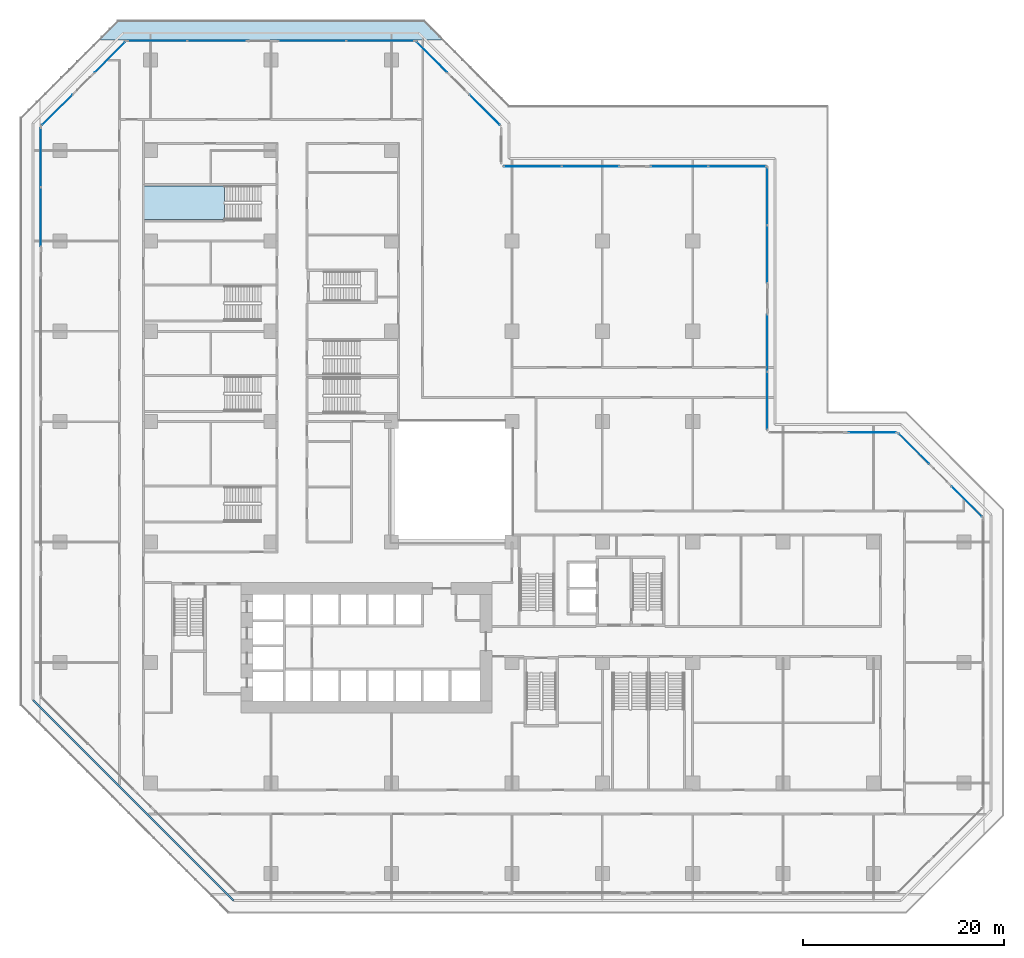
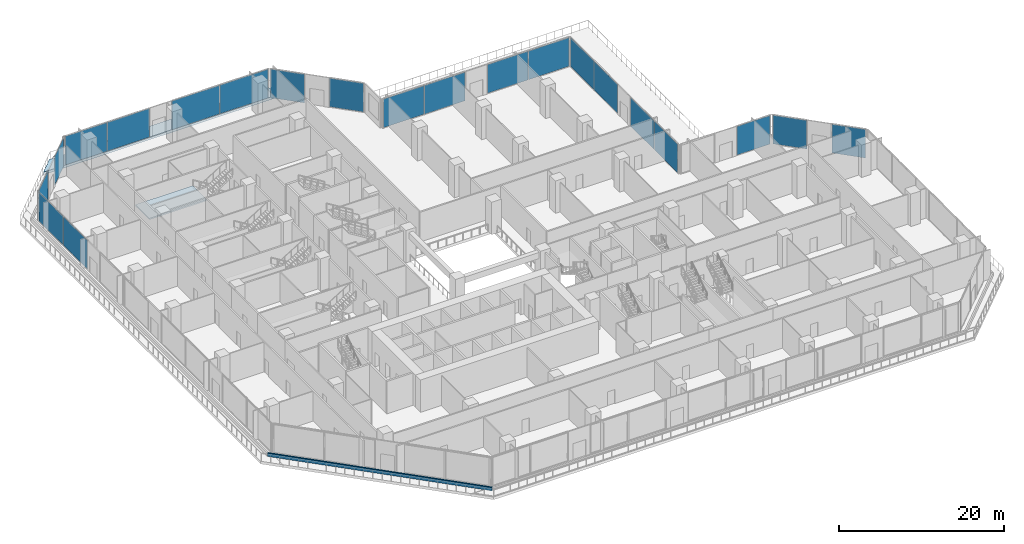
# One storey, part 13 of 31: 21 plates, 2 slabs, 1 wall, 15 elements without a shape of their own.
"""IFC4 building model written with IfcOpenShell, lengths in metres."""

from ifc_helpers import new_model, si_unit, direction, frame, frame_2d, origin, origin_2d, place, context, subcontext, project, spatial, polyline, rectangle, outline, extrude, material, layer, layer_set, type_object, element, aggregate, save


model = new_model("IFC4")

# Units and contexts
model_context = context("Model", 3, precision=1e-05, world=origin(), true_north=direction((0.0, 1.0)))
body_context = subcontext(model_context, "Body", "Model", "MODEL_VIEW")
ifc_project = project(units=[si_unit("LENGTHUNIT", "METRE"), si_unit("AREAUNIT", "SQUARE_METRE"), si_unit("VOLUMEUNIT", "CUBIC_METRE"), si_unit("PLANEANGLEUNIT", "RADIAN"), si_unit("MASSUNIT", "GRAM", prefix="KILO")], contexts=[model_context])

# Site, building, storey
site_placement = place(None, origin())
site = spatial("IfcSite", under=ifc_project, at=site_placement, CompositionType="ELEMENT")
building_placement = place(site_placement, origin())
building = spatial("IfcBuilding", under=site, at=building_placement, Name="Chenar Terraces", CompositionType="ELEMENT")
storey_placement = place(building_placement, frame((0.0, 0.0, 12.0)))
storey = spatial("IfcBuildingStorey", under=building, at=storey_placement, Name="L02", CompositionType="ELEMENT", Elevation=12.0)

# Stair, slab
ifc_material_1 = material(Name="Reinforced concrete C40/50", Category="concrete")
stair_type = type_object("IfcStairType", Name="Core stair 1400 half-turn", PredefinedType="HALF_TURN_STAIR", material=ifc_material_1)
placement = place(storey_placement, origin())
stair = element("IfcStair", 1, at=placement, inside=storey, type_object=stair_type, Name="L02 Exit stair PS3", PredefinedType="HALF_TURN_STAIR")
ifc_material_2 = material(Name="Reinforced concrete C40/50", Category="concrete")
ifc_layer_1 = layer(ifc_material_2, 0.199951171875)
ifc_layer_set_1 = layer_set([ifc_layer_1], Name="Reinforced concrete C40/50")
slab_type_1 = type_object("IfcSlabType", Name="Core stair landing 200", PredefinedType="LANDING", material=ifc_layer_set_1)
slab_1_placement = place(storey_placement, frame((0.0, 0.0, 2.199951171875)))
slab_1 = element("IfcSlab", 2, at=slab_1_placement, type_object=slab_type_1, Name="PS3 landing 1", PredefinedType="LANDING", context=body_context, shape_type="SweptSolid", body=[
    extrude(outline(polyline([(7.344970703125, 59.489990234375), (-0.699951171875, 59.489990234375), (-0.699951171875, 56.110107421875), (7.344970703125, 56.110107421875), (7.344970703125, 59.489990234375)])), origin(), (0.0, 0.0, 1.0), 0.199951171875),
])
aggregate(stair, [slab_1])

# Curtain wall, plate
ifc_material_3 = material(Name="Aluminium framed glazing", Category="aluminium")
ifc_layer_2 = layer(ifc_material_3, 0.14990234375)
ifc_layer_set_2 = layer_set([ifc_layer_2], Name="Aluminium framed glazing")
curtain_wall_type = type_object("IfcCurtainWallType", Name="School curtain wall", PredefinedType="NOTDEFINED", material=ifc_layer_set_2)
curtain_wall_1 = element("IfcCurtainWall", 3, at=placement, inside=storey, type_object=curtain_wall_type, Name="School curtain wall", PredefinedType="NOTDEFINED")
ifc_material_4 = material(Name="Low emissivity laminated glass, solar control coating", Category="glass")
ifc_layer_3 = layer(ifc_material_4, 0.031982421875)
ifc_layer_set_3 = layer_set([ifc_layer_3], Name="Low emissivity laminated glass, solar control coating")
plate_type = type_object("IfcPlateType", Name="School glazing panel 32", PredefinedType="CURTAIN_PANEL", material=ifc_layer_set_3)
plate_1_placement = place(storey_placement, frame((33.287353515625, 67.04150390625, 0.06982421875), z_axis=(0.0, 0.0, 1.0), x_axis=(-0.707106781187, 0.707106781187, 0.0)))
plate_1 = element("IfcPlate", 4, at=plate_1_placement, type_object=plate_type, Name="CW2-02c0 panel 1.1", PredefinedType="CURTAIN_PANEL", context=body_context, shape_type="SweptSolid", body=[
    extrude(rectangle(XDim=4.25390625, YDim=0.031982421875, at=origin_2d()), origin(), (0.0, 0.0, 1.0), 4.260009765625),
])
aggregate(curtain_wall_1, [plate_1])

curtain_wall_2 = element("IfcCurtainWall", 5, at=placement, inside=storey, type_object=curtain_wall_type, Name="School curtain wall", PredefinedType="NOTDEFINED")
plate_2_placement = place(storey_placement, frame((28.04150390625, 72.287353515625, 0.06982421875), z_axis=(0.0, 0.0, 1.0), x_axis=(-0.707106781187, 0.707106781187, 0.0)))
plate_2 = element("IfcPlate", 6, at=plate_2_placement, type_object=plate_type, Name="CW2-02c1 panel 1.1", PredefinedType="CURTAIN_PANEL", context=body_context, shape_type="SweptSolid", body=[
    extrude(rectangle(XDim=4.25390625, YDim=0.031982421875, at=origin_2d()), origin(), (0.0, 0.0, 1.0), 4.260009765625),
])
aggregate(curtain_wall_2, [plate_2])

# Curtain wall, plates
curtain_wall_3 = element("IfcCurtainWall", 7, at=placement, inside=storey, type_object=curtain_wall_type, Name="School curtain wall", PredefinedType="NOTDEFINED")
plate_3_placement = place(storey_placement, frame((22.86181640625, 73.925048828125, 0.06982421875), z_axis=(0.0, 0.0, 1.0), x_axis=(-1.0, 0.0, 0.0)))
plate_3 = element("IfcPlate", 8, at=plate_3_placement, type_object=plate_type, Name="CW2-03c0 panel 1.1", PredefinedType="CURTAIN_PANEL", context=body_context, shape_type="SweptSolid", body=[
    extrude(rectangle(XDim=6.706298828125, YDim=0.031982421875, at=origin_2d()), origin(), (0.0, 0.0, 1.0), 4.260009765625),
])
plate_4_placement = place(storey_placement, frame((16.085693359375, 73.925048828125, 0.06982421875), z_axis=(0.0, 0.0, 1.0), x_axis=(-1.0, 0.0, 0.0)))
plate_4 = element("IfcPlate", 9, at=plate_4_placement, type_object=plate_type, Name="CW2-03c0 panel 2.1", PredefinedType="CURTAIN_PANEL", context=body_context, shape_type="SweptSolid", body=[
    extrude(rectangle(XDim=6.706298828125, YDim=0.031982421875, at=origin_2d()), origin(), (0.0, 0.0, 1.0), 4.260009765625),
])
aggregate(curtain_wall_3, [plate_3, plate_4])

curtain_wall_4 = element("IfcCurtainWall", 10, at=placement, inside=storey, type_object=curtain_wall_type, Name="School curtain wall", PredefinedType="NOTDEFINED")
plate_5_placement = place(storey_placement, frame((6.639404296875, 73.925048828125, 0.06982421875), z_axis=(0.0, 0.0, 1.0), x_axis=(-1.0, 0.0, 0.0)))
plate_5 = element("IfcPlate", 11, at=plate_5_placement, type_object=plate_type, Name="CW2-03c1 panel 1.1", PredefinedType="CURTAIN_PANEL", context=body_context, shape_type="SweptSolid", body=[
    extrude(rectangle(XDim=5.856201171875, YDim=0.031982421875, at=origin_2d()), origin(), (0.0, 0.0, 1.0), 4.260009765625),
])
plate_6_placement = place(storey_placement, frame((0.713134765625, 73.925048828125, 0.06982421875), z_axis=(0.0, 0.0, 1.0), x_axis=(-1.0, 0.0, 0.0)))
plate_6 = element("IfcPlate", 12, at=plate_6_placement, type_object=plate_type, Name="CW2-03c1 panel 2.1", PredefinedType="CURTAIN_PANEL", context=body_context, shape_type="SweptSolid", body=[
    extrude(rectangle(XDim=5.856201171875, YDim=0.031982421875, at=origin_2d()), origin(), (0.0, 0.0, 1.0), 4.260009765625),
])
aggregate(curtain_wall_4, [plate_5, plate_6])

# Curtain wall, plate
curtain_wall_5 = element("IfcCurtainWall", 13, at=placement, inside=storey, type_object=curtain_wall_type, Name="School curtain wall", PredefinedType="NOTDEFINED")
plate_7_placement = place(storey_placement, frame((-4.04150390625, 72.287353515625, 0.06982421875), z_axis=(0.0, 0.0, 1.0), x_axis=(-0.707106781187, -0.707106781187, 0.0)))
plate_7 = element("IfcPlate", 14, at=plate_7_placement, type_object=plate_type, Name="CW2-04c0 panel 1.1", PredefinedType="CURTAIN_PANEL", context=body_context, shape_type="SweptSolid", body=[
    extrude(rectangle(XDim=4.25390625, YDim=0.031982421875, at=origin_2d()), origin(), (0.0, 0.0, 1.0), 4.260009765625),
])
aggregate(curtain_wall_5, [plate_7])

curtain_wall_6 = element("IfcCurtainWall", 15, at=placement, inside=storey, type_object=curtain_wall_type, Name="School curtain wall", PredefinedType="NOTDEFINED")
plate_8_placement = place(storey_placement, frame((-9.287353515625, 67.04150390625, 0.06982421875), z_axis=(0.0, 0.0, 1.0), x_axis=(-0.707106781187, -0.707106781187, 0.0)))
plate_8 = element("IfcPlate", 16, at=plate_8_placement, type_object=plate_type, Name="CW2-04c1 panel 1.1", PredefinedType="CURTAIN_PANEL", context=body_context, shape_type="SweptSolid", body=[
    extrude(rectangle(XDim=4.25390625, YDim=0.031982421875, at=origin_2d()), origin(), (0.0, 0.0, 1.0), 4.260009765625),
])
aggregate(curtain_wall_6, [plate_8])

# Curtain wall, plates
curtain_wall_7 = element("IfcCurtainWall", 17, at=placement, inside=storey, type_object=curtain_wall_type, Name="School curtain wall", PredefinedType="NOTDEFINED")
plate_9_placement = place(storey_placement, frame((-10.925048828125, 62.297607421875, 0.06982421875), z_axis=(0.0, 0.0, 1.0), x_axis=(0.0, -1.0, 0.0)))
plate_9 = element("IfcPlate", 18, at=plate_9_placement, type_object=plate_type, Name="CW2-05c0 panel 1.1", PredefinedType="CURTAIN_PANEL", context=body_context, shape_type="SweptSolid", body=[
    extrude(rectangle(XDim=5.8349609375, YDim=0.031982421875, at=origin_2d()), origin(), (0.0, 0.0, 1.0), 4.260009765625),
])
plate_10_placement = place(storey_placement, frame((-10.925048828125, 56.392578125, 0.06982421875), z_axis=(0.0, 0.0, 1.0), x_axis=(0.0, -1.0, 0.0)))
plate_10 = element("IfcPlate", 19, at=plate_10_placement, type_object=plate_type, Name="CW2-05c0 panel 2.1", PredefinedType="CURTAIN_PANEL", context=body_context, shape_type="SweptSolid", body=[
    extrude(rectangle(XDim=5.8349609375, YDim=0.031982421875, at=origin_2d()), origin(), (0.0, 0.0, 1.0), 4.260009765625),
])
aggregate(curtain_wall_7, [plate_9, plate_10])

# Curtain wall, plate
curtain_wall_8 = element("IfcCurtainWall", 20, at=placement, inside=storey, type_object=curtain_wall_type, Name="School curtain wall", PredefinedType="NOTDEFINED")
plate_11_placement = place(storey_placement, frame((81.287353515625, 28.04150390625, 0.06982421875), z_axis=(0.0, 0.0, 1.0), x_axis=(-0.707106781187, 0.707106781187, 0.0)))
plate_11 = element("IfcPlate", 21, at=plate_11_placement, type_object=plate_type, Name="CW2-10c0 panel 1.1", PredefinedType="CURTAIN_PANEL", context=body_context, shape_type="SweptSolid", body=[
    extrude(rectangle(XDim=4.25390625, YDim=0.031982421875, at=origin_2d()), origin(), (0.0, 0.0, 1.0), 4.260009765625),
])
aggregate(curtain_wall_8, [plate_11])

curtain_wall_9 = element("IfcCurtainWall", 22, at=placement, inside=storey, type_object=curtain_wall_type, Name="School curtain wall", PredefinedType="NOTDEFINED")
plate_12_placement = place(storey_placement, frame((76.04150390625, 33.287353515625, 0.06982421875), z_axis=(0.0, 0.0, 1.0), x_axis=(-0.707106781187, 0.707106781187, 0.0)))
plate_12 = element("IfcPlate", 23, at=plate_12_placement, type_object=plate_type, Name="CW2-10c1 panel 1.1", PredefinedType="CURTAIN_PANEL", context=body_context, shape_type="SweptSolid", body=[
    extrude(rectangle(XDim=4.25390625, YDim=0.031982421875, at=origin_2d()), origin(), (0.0, 0.0, 1.0), 4.260009765625),
])
aggregate(curtain_wall_9, [plate_12])

curtain_wall_10 = element("IfcCurtainWall", 24, at=placement, inside=storey, type_object=curtain_wall_type, Name="School curtain wall", PredefinedType="NOTDEFINED")
plate_13_placement = place(storey_placement, frame((71.882568359375, 34.925048828125, 0.06982421875), z_axis=(0.0, 0.0, 1.0), x_axis=(-1.0, 0.0, 0.0)))
plate_13 = element("IfcPlate", 25, at=plate_13_placement, type_object=plate_type, Name="CW2-11c0 panel 1.1", PredefinedType="CURTAIN_PANEL", context=body_context, shape_type="SweptSolid", body=[
    extrude(rectangle(XDim=4.6650390625, YDim=0.031982421875, at=origin_2d()), origin(), (0.0, 0.0, 1.0), 4.260009765625),
])
aggregate(curtain_wall_10, [plate_13])

# Curtain wall, plates
curtain_wall_11 = element("IfcCurtainWall", 26, at=placement, inside=storey, type_object=curtain_wall_type, Name="School curtain wall", PredefinedType="NOTDEFINED")
plate_14_placement = place(storey_placement, frame((61.425048828125, 38.064453125, 0.06982421875), z_axis=(0.0, 0.0, 1.0), x_axis=(0.0, 1.0, 0.0)))
plate_14 = element("IfcPlate", 27, at=plate_14_placement, type_object=plate_type, Name="CW2-12c0 panel 1.1", PredefinedType="CURTAIN_PANEL", context=body_context, shape_type="SweptSolid", body=[
    extrude(rectangle(XDim=5.688720703125, YDim=0.031982421875, at=origin_2d()), origin(), (0.0, 0.0, 1.0), 4.260009765625),
])
plate_15_placement = place(storey_placement, frame((61.425048828125, 43.8232421875, 0.06982421875), z_axis=(0.0, 0.0, 1.0), x_axis=(0.0, 1.0, 0.0)))
plate_15 = element("IfcPlate", 28, at=plate_15_placement, type_object=plate_type, Name="CW2-12c0 panel 2.1", PredefinedType="CURTAIN_PANEL", context=body_context, shape_type="SweptSolid", body=[
    extrude(rectangle(XDim=5.688720703125, YDim=0.031982421875, at=origin_2d()), origin(), (0.0, 0.0, 1.0), 4.260009765625),
])
aggregate(curtain_wall_11, [plate_14, plate_15])

curtain_wall_12 = element("IfcCurtainWall", 29, at=placement, inside=storey, type_object=curtain_wall_type, Name="School curtain wall", PredefinedType="NOTDEFINED")
plate_16_placement = place(storey_placement, frame((61.425048828125, 52.6767578125, 0.06982421875), z_axis=(0.0, 0.0, 1.0), x_axis=(0.0, 1.0, 0.0)))
plate_16 = element("IfcPlate", 30, at=plate_16_placement, type_object=plate_type, Name="CW2-12c1 panel 1.1", PredefinedType="CURTAIN_PANEL", context=body_context, shape_type="SweptSolid", body=[
    extrude(rectangle(XDim=5.688720703125, YDim=0.031982421875, at=origin_2d()), origin(), (0.0, 0.0, 1.0), 4.260009765625),
])
plate_17_placement = place(storey_placement, frame((61.425048828125, 58.435546875, 0.06982421875), z_axis=(0.0, 0.0, 1.0), x_axis=(0.0, 1.0, 0.0)))
plate_17 = element("IfcPlate", 31, at=plate_17_placement, type_object=plate_type, Name="CW2-12c1 panel 2.1", PredefinedType="CURTAIN_PANEL", context=body_context, shape_type="SweptSolid", body=[
    extrude(rectangle(XDim=5.688720703125, YDim=0.031982421875, at=origin_2d()), origin(), (0.0, 0.0, 1.0), 4.260009765625),
])
aggregate(curtain_wall_12, [plate_16, plate_17])

curtain_wall_13 = element("IfcCurtainWall", 32, at=placement, inside=storey, type_object=curtain_wall_type, Name="School curtain wall", PredefinedType="NOTDEFINED")
plate_18_placement = place(storey_placement, frame((58.435546875, 61.425048828125, 0.06982421875), z_axis=(0.0, 0.0, 1.0), x_axis=(-1.0, 0.0, 0.0)))
plate_18 = element("IfcPlate", 33, at=plate_18_placement, type_object=plate_type, Name="CW2-13c0 panel 1.1", PredefinedType="CURTAIN_PANEL", context=body_context, shape_type="SweptSolid", body=[
    extrude(rectangle(XDim=5.688720703125, YDim=0.031982421875, at=origin_2d()), origin(), (0.0, 0.0, 1.0), 4.260009765625),
])
plate_19_placement = place(storey_placement, frame((52.6767578125, 61.425048828125, 0.06982421875), z_axis=(0.0, 0.0, 1.0), x_axis=(-1.0, 0.0, 0.0)))
plate_19 = element("IfcPlate", 34, at=plate_19_placement, type_object=plate_type, Name="CW2-13c0 panel 2.1", PredefinedType="CURTAIN_PANEL", context=body_context, shape_type="SweptSolid", body=[
    extrude(rectangle(XDim=5.688720703125, YDim=0.031982421875, at=origin_2d()), origin(), (0.0, 0.0, 1.0), 4.260009765625),
])
aggregate(curtain_wall_13, [plate_18, plate_19])

curtain_wall_14 = element("IfcCurtainWall", 35, at=placement, inside=storey, type_object=curtain_wall_type, Name="School curtain wall", PredefinedType="NOTDEFINED")
plate_20_placement = place(storey_placement, frame((43.8232421875, 61.425048828125, 0.06982421875), z_axis=(0.0, 0.0, 1.0), x_axis=(-1.0, 0.0, 0.0)))
plate_20 = element("IfcPlate", 36, at=plate_20_placement, type_object=plate_type, Name="CW2-13c1 panel 1.1", PredefinedType="CURTAIN_PANEL", context=body_context, shape_type="SweptSolid", body=[
    extrude(rectangle(XDim=5.688720703125, YDim=0.031982421875, at=origin_2d()), origin(), (0.0, 0.0, 1.0), 4.260009765625),
])
plate_21_placement = place(storey_placement, frame((38.064453125, 61.425048828125, 0.06982421875), z_axis=(0.0, 0.0, 1.0), x_axis=(-1.0, 0.0, 0.0)))
plate_21 = element("IfcPlate", 37, at=plate_21_placement, type_object=plate_type, Name="CW2-13c1 panel 2.1", PredefinedType="CURTAIN_PANEL", context=body_context, shape_type="SweptSolid", body=[
    extrude(rectangle(XDim=5.688720703125, YDim=0.031982421875, at=origin_2d()), origin(), (0.0, 0.0, 1.0), 4.260009765625),
])
aggregate(curtain_wall_14, [plate_20, plate_21])

# Slab
ifc_material_5 = material(Name="Concrete C40/50", Category="concrete")
ifc_layer_4 = layer(ifc_material_5, 0.39990234375)
ifc_layer_set_4 = layer_set([ifc_layer_4], Name="Concrete C40/50")
slab_type_2 = type_object("IfcSlabType", Name="Terrace slab 400 Concrete C40/50", PredefinedType="FLOOR", material=ifc_layer_set_4)
slab_2_placement = place(storey_placement, frame((0.0, 0.0, -0.39990234375)))
element("IfcSlab", 38, at=slab_2_placement, inside=storey, type_object=slab_type_2, Name="Terrace slab L02 4.1", PredefinedType="FLOOR", context=body_context, shape_type="SweptSolid", body=[
    extrude(outline(polyline([(-3.263427734375, 76.0), (27.263427734375, 76.0), (29.263427734375, 74.0), (26.43505859375, 74.0), (-2.43505859375, 74.0), (-5.263427734375, 74.0), (-3.263427734375, 76.0)])), origin(), (0.0, 0.0, 1.0), 0.39990234375),
])

# Wall
ifc_material_6 = material(Name="Terracotta cladding on insulated backing", Category="masonry")
ifc_layer_5 = layer(ifc_material_6, 0.199951171875)
ifc_layer_set_5 = layer_set([ifc_layer_5], Name="Terracotta cladding on insulated backing")
wall_type = type_object("IfcWallType", Name="Terrace parapet upstand 200", PredefinedType="PARAPET", material=ifc_layer_set_5)
wall_placement = place(storey_placement, frame((8.27490234375, -11.699951171875, 0.0), z_axis=(0.0, 0.0, 1.0), x_axis=(-0.707106781187, 0.707106781187, 0.0)))
element("IfcWall", 39, at=wall_placement, inside=storey, type_object=wall_type, Name="Terrace parapet", PredefinedType="PARAPET", context=body_context, shape_type="SweptSolid", body=[
    extrude(rectangle(XDim=28.248779296875, YDim=0.199951171875, at=frame_2d((14.12451171875, 0.0))), origin(), (0.0, 0.0, 1.0), 0.5),
])

save(model, "model.ifc")
